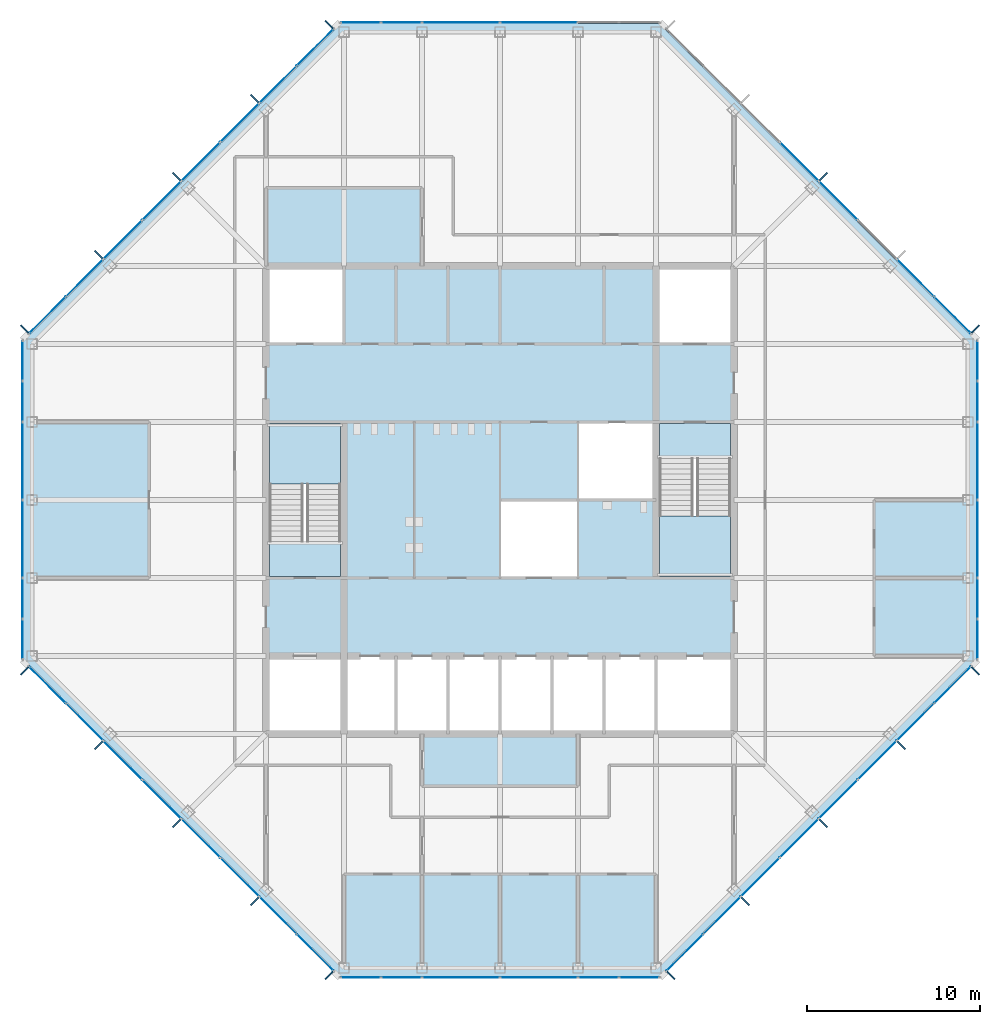
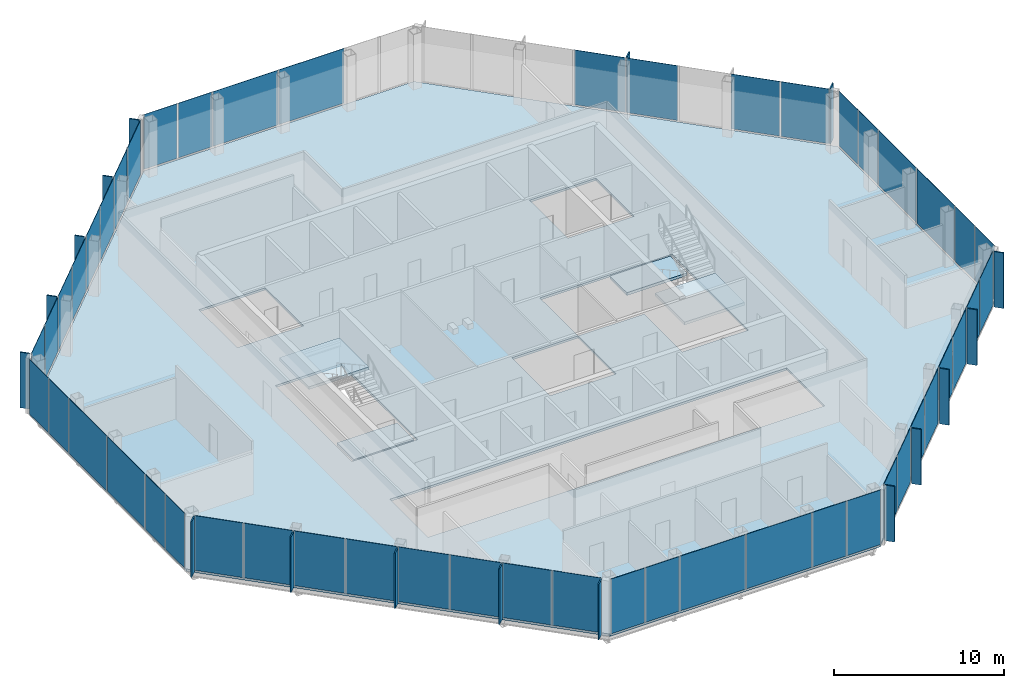
# One storey, part 8 of 13: 67 plates, 5 slabs, 10 elements without a shape of their own.
"""IFC4 building model written with IfcOpenShell, lengths in metres."""

from ifc_helpers import new_model, si_unit, direction, frame, origin, origin_2d, place, context, subcontext, project, spatial, polyline, rectangle, outline, extrude, material, layer, layer_set, type_object, element, aggregate, save


model = new_model("IFC4")

# Units and contexts
model_context = context("Model", 3, precision=1e-05, world=origin(), true_north=direction((0.0, 1.0)))
body_context = subcontext(model_context, "Body", "Model", "MODEL_VIEW")
ifc_project = project(units=[si_unit("LENGTHUNIT", "METRE"), si_unit("AREAUNIT", "SQUARE_METRE"), si_unit("VOLUMEUNIT", "CUBIC_METRE"), si_unit("PLANEANGLEUNIT", "RADIAN"), si_unit("MASSUNIT", "GRAM", prefix="KILO")], contexts=[model_context])

# Site, building, storey
site_placement = place(None, origin())
site = spatial("IfcSite", under=ifc_project, at=site_placement, CompositionType="ELEMENT")
building_placement = place(site_placement, origin())
building = spatial("IfcBuilding", under=site, at=building_placement, Name="Corais Broadcast Tower", CompositionType="ELEMENT")
storey_placement = place(building_placement, frame((0.0, 0.0, 274.60009765625)))
storey = spatial("IfcBuildingStorey", under=building, at=storey_placement, Name="L64", CompositionType="ELEMENT", Elevation=274.60009765625)

# Slab
ifc_material_1 = material(Name="Concrete C30/37", Category="concrete")
ifc_layer_1 = layer(ifc_material_1, 0.159912109375)
ifc_layer_set_1 = layer_set([ifc_layer_1], Name="Concrete C30/37")
slab_type_1 = type_object("IfcSlabType", Name="Composite floor slab 160", PredefinedType="FLOOR", material=ifc_layer_set_1)
slab_1_placement = place(storey_placement, frame((0.0, 0.0, -0.16015625)))
element("IfcSlab", 1, at=slab_1_placement, inside=storey, type_object=slab_type_1, Name="S160 floor slab L64", PredefinedType="FLOOR", context=body_context, shape_type="SweptSolid", body=[
    extrude(outline(polyline([(17.80126953125, -0.47998046875), (-0.47998046875, 17.80126953125), (-0.47998046875, 36.19873046875), (17.80126953125, 54.47998046875), (36.19873046875, 54.47998046875), (54.47998046875, 36.19873046875), (54.47998046875, 17.80126953125), (36.19873046875, -0.47998046875), (17.80126953125, -0.47998046875)]), holes=[polyline([(13.5, 18.0), (40.5, 18.0), (40.5, 13.5), (13.5, 13.5), (13.5, 18.0)]), polyline([(18.0, 22.5), (13.5, 22.5), (13.5, 31.5), (18.0, 31.5), (18.0, 22.5)]), polyline([(18.0, 36.0), (13.5, 36.0), (13.5, 40.5), (18.0, 40.5), (18.0, 36.0)]), polyline([(31.5, 22.5), (27.0, 22.5), (27.0, 27.0), (31.4951171875, 27.0), (31.4951171875, 27.0048828125), (31.5, 27.0048828125), (31.5, 31.5), (40.5, 31.5), (40.5, 22.5), (36.0, 22.5), (36.0, 27.0), (31.5048828125, 27.0), (31.5048828125, 26.9951171875), (31.5, 26.9951171875), (31.5, 22.5)]), polyline([(40.5, 36.0), (36.0, 36.0), (36.0, 40.5), (40.5, 40.5), (40.5, 36.0)])]), origin(), (0.0, 0.0, 1.0), 0.16015625),
])

# Curtain wall, plates
ifc_material_2 = material(Name="Aluminium and glass", Category="aluminium")
curtain_wall_type = type_object("IfcCurtainWallType", Name="Unitised fritted curtain wall CW3", PredefinedType="NOTDEFINED", material=ifc_material_2)
curtain_wall_1_placement = place(storey_placement, origin())
curtain_wall_1 = element("IfcCurtainWall", 2, at=curtain_wall_1_placement, inside=storey, type_object=curtain_wall_type, Name="CW3 curtain wall L64 1", PredefinedType="NOTDEFINED")
ifc_material_3 = material(Name="Ceramic-fritted laminated glass", Category="glass")
ifc_layer_2 = layer(ifc_material_3, 0.02587890625)
ifc_layer_set_2 = layer_set([ifc_layer_2], Name="Ceramic-fritted laminated glass")
plate_type_1 = type_object("IfcPlateType", Name="Fritted glass panel CW3", PredefinedType="CURTAIN_PANEL", material=ifc_layer_set_2)
plate_1_placement = place(storey_placement, frame((16.330322265625, 0.891845703125, 0.06494140625), z_axis=(0.0, 0.0, 1.0), x_axis=(-0.707106781187, 0.707106781187, 0.0)))
plate_1 = element("IfcPlate", 3, at=plate_1_placement, type_object=plate_type_1, Name="CW3 panel 1", PredefinedType="CURTAIN_PANEL", context=body_context, shape_type="SweptSolid", body=[
    extrude(rectangle(XDim=2.9482421875, YDim=0.02587890625, at=origin_2d()), origin(), (0.0, 0.0, 1.0), 3.93505859375),
])
plate_2_placement = place(storey_placement, frame((11.986083984375, 5.236083984375, 0.06494140625), z_axis=(0.0, 0.0, 1.0), x_axis=(-0.707106781187, 0.707106781187, 0.0)))
plate_2 = element("IfcPlate", 4, at=plate_2_placement, type_object=plate_type_1, Name="CW3 panel 3", PredefinedType="CURTAIN_PANEL", context=body_context, shape_type="SweptSolid", body=[
    extrude(rectangle(XDim=3.116943359375, YDim=0.02587890625, at=origin_2d()), origin(), (0.0, 0.0, 1.0), 3.93505859375),
])
plate_3_placement = place(storey_placement, frame((7.486083984375, 9.736083984375, 0.06494140625), z_axis=(0.0, 0.0, 1.0), x_axis=(-0.707106781187, 0.707106781187, 0.0)))
plate_3 = element("IfcPlate", 5, at=plate_3_placement, type_object=plate_type_1, Name="CW3 panel 5", PredefinedType="CURTAIN_PANEL", context=body_context, shape_type="SweptSolid", body=[
    extrude(rectangle(XDim=3.116943359375, YDim=0.02587890625, at=origin_2d()), origin(), (0.0, 0.0, 1.0), 3.93505859375),
])
plate_4_placement = place(storey_placement, frame((3.0341796875, 14.18798828125, 0.06494140625), z_axis=(0.0, 0.0, 1.0), x_axis=(-0.707106781187, 0.707106781187, 0.0)))
plate_4 = element("IfcPlate", 6, at=plate_4_placement, type_object=plate_type_1, Name="CW3 panel 7", PredefinedType="CURTAIN_PANEL", context=body_context, shape_type="SweptSolid", body=[
    extrude(rectangle(XDim=2.98095703125, YDim=0.02587890625, at=origin_2d()), origin(), (0.0, 0.0, 1.0), 3.93505859375),
])

curtain_wall_2_placement = place(storey_placement, origin())
curtain_wall_2 = element("IfcCurtainWall", 7, at=curtain_wall_2_placement, inside=storey, type_object=curtain_wall_type, Name="CW3 curtain wall L64 2", PredefinedType="NOTDEFINED")
plate_5_placement = place(storey_placement, frame((-0.550048828125, 18.970458984375, 0.06494140625), z_axis=(0.0, 0.0, 1.0), x_axis=(0.0, 1.0, 0.0)))
plate_5 = element("IfcPlate", 8, at=plate_5_placement, type_object=plate_type_1, Name="CW3 panel 1", PredefinedType="CURTAIN_PANEL", context=body_context, shape_type="SweptSolid", body=[
    extrude(rectangle(XDim=2.266357421875, YDim=0.02587890625, at=origin_2d()), origin(), (0.0, 0.0, 1.0), 3.93505859375),
])
plate_6_placement = place(storey_placement, frame((-0.550048828125, 24.75, 0.06494140625), z_axis=(0.0, 0.0, 1.0), x_axis=(0.0, 1.0, 0.0)))
plate_6 = element("IfcPlate", 9, at=plate_6_placement, type_object=plate_type_1, Name="CW3 panel 3", PredefinedType="CURTAIN_PANEL", context=body_context, shape_type="SweptSolid", body=[
    extrude(rectangle(XDim=4.43505859375, YDim=0.02587890625, at=origin_2d()), origin(), (0.0, 0.0, 1.0), 3.93505859375),
])
plate_7_placement = place(storey_placement, frame((-0.550048828125, 32.681884765625, 0.06494140625), z_axis=(0.0, 0.0, 1.0), x_axis=(0.0, 1.0, 0.0)))
plate_7 = element("IfcPlate", 10, at=plate_7_placement, type_object=plate_type_1, Name="CW3 panel 5", PredefinedType="CURTAIN_PANEL", context=body_context, shape_type="SweptSolid", body=[
    extrude(rectangle(XDim=2.298828125, YDim=0.02587890625, at=origin_2d()), origin(), (0.0, 0.0, 1.0), 3.93505859375),
])

curtain_wall_3_placement = place(storey_placement, origin())
curtain_wall_3 = element("IfcCurtainWall", 11, at=curtain_wall_3_placement, inside=storey, type_object=curtain_wall_type, Name="CW3 curtain wall L64 3", PredefinedType="NOTDEFINED")
plate_8_placement = place(storey_placement, frame((0.891845703125, 37.669677734375, 0.06494140625), z_axis=(0.0, 0.0, 1.0), x_axis=(0.707106781187, 0.707106781187, 0.0)))
plate_8 = element("IfcPlate", 12, at=plate_8_placement, type_object=plate_type_1, Name="CW3 panel 1", PredefinedType="CURTAIN_PANEL", context=body_context, shape_type="SweptSolid", body=[
    extrude(rectangle(XDim=2.9482421875, YDim=0.02587890625, at=origin_2d()), origin(), (0.0, 0.0, 1.0), 3.93505859375),
])
plate_9_placement = place(storey_placement, frame((5.236083984375, 42.013916015625, 0.06494140625), z_axis=(0.0, 0.0, 1.0), x_axis=(0.707106781187, 0.707106781187, 0.0)))
plate_9 = element("IfcPlate", 13, at=plate_9_placement, type_object=plate_type_1, Name="CW3 panel 3", PredefinedType="CURTAIN_PANEL", context=body_context, shape_type="SweptSolid", body=[
    extrude(rectangle(XDim=3.116943359375, YDim=0.02587890625, at=origin_2d()), origin(), (0.0, 0.0, 1.0), 3.93505859375),
])
plate_10_placement = place(storey_placement, frame((9.736083984375, 46.513916015625, 0.06494140625), z_axis=(0.0, 0.0, 1.0), x_axis=(0.707106781187, 0.707106781187, 0.0)))
plate_10 = element("IfcPlate", 14, at=plate_10_placement, type_object=plate_type_1, Name="CW3 panel 5", PredefinedType="CURTAIN_PANEL", context=body_context, shape_type="SweptSolid", body=[
    extrude(rectangle(XDim=3.116943359375, YDim=0.02587890625, at=origin_2d()), origin(), (0.0, 0.0, 1.0), 3.93505859375),
])
plate_11_placement = place(storey_placement, frame((14.18798828125, 50.9658203125, 0.06494140625), z_axis=(0.0, 0.0, 1.0), x_axis=(0.707106781187, 0.707106781187, 0.0)))
plate_11 = element("IfcPlate", 15, at=plate_11_placement, type_object=plate_type_1, Name="CW3 panel 7", PredefinedType="CURTAIN_PANEL", context=body_context, shape_type="SweptSolid", body=[
    extrude(rectangle(XDim=2.98095703125, YDim=0.02587890625, at=origin_2d()), origin(), (0.0, 0.0, 1.0), 3.93505859375),
])

curtain_wall_4_placement = place(storey_placement, origin())
curtain_wall_4 = element("IfcCurtainWall", 16, at=curtain_wall_4_placement, inside=storey, type_object=curtain_wall_type, Name="CW3 curtain wall L64 4", PredefinedType="NOTDEFINED")
plate_12_placement = place(storey_placement, frame((18.970458984375, 54.550048828125, 0.06494140625), z_axis=(0.0, 0.0, 1.0), x_axis=(1.0, 0.0, 0.0)))
plate_12 = element("IfcPlate", 17, at=plate_12_placement, type_object=plate_type_1, Name="CW3 panel 1", PredefinedType="CURTAIN_PANEL", context=body_context, shape_type="SweptSolid", body=[
    extrude(rectangle(XDim=2.266357421875, YDim=0.02587890625, at=origin_2d()), origin(), (0.0, 0.0, 1.0), 3.93505859375),
])
plate_13_placement = place(storey_placement, frame((24.75, 54.550048828125, 0.06494140625), z_axis=(0.0, 0.0, 1.0), x_axis=(1.0, 0.0, 0.0)))
plate_13 = element("IfcPlate", 18, at=plate_13_placement, type_object=plate_type_1, Name="CW3 panel 3", PredefinedType="CURTAIN_PANEL", context=body_context, shape_type="SweptSolid", body=[
    extrude(rectangle(XDim=4.43505859375, YDim=0.02587890625, at=origin_2d()), origin(), (0.0, 0.0, 1.0), 3.93505859375),
])

curtain_wall_5_placement = place(storey_placement, origin())
curtain_wall_5 = element("IfcCurtainWall", 19, at=curtain_wall_5_placement, inside=storey, type_object=curtain_wall_type, Name="CW3 curtain wall L64 5", PredefinedType="NOTDEFINED")
plate_14_placement = place(storey_placement, frame((46.513916015625, 44.263916015625, 0.06494140625), z_axis=(0.0, 0.0, 1.0), x_axis=(0.707106781187, -0.707106781187, 0.0)))
plate_14 = element("IfcPlate", 20, at=plate_14_placement, type_object=plate_type_1, Name="CW3 panel 5", PredefinedType="CURTAIN_PANEL", context=body_context, shape_type="SweptSolid", body=[
    extrude(rectangle(XDim=3.116943359375, YDim=0.02587890625, at=origin_2d()), origin(), (0.0, 0.0, 1.0), 3.93505859375),
])
plate_15_placement = place(storey_placement, frame((50.9658203125, 39.81201171875, 0.06494140625), z_axis=(0.0, 0.0, 1.0), x_axis=(0.707106781187, -0.707106781187, 0.0)))
plate_15 = element("IfcPlate", 21, at=plate_15_placement, type_object=plate_type_1, Name="CW3 panel 7", PredefinedType="CURTAIN_PANEL", context=body_context, shape_type="SweptSolid", body=[
    extrude(rectangle(XDim=2.98095703125, YDim=0.02587890625, at=origin_2d()), origin(), (0.0, 0.0, 1.0), 3.93505859375),
])

curtain_wall_6_placement = place(storey_placement, origin())
curtain_wall_6 = element("IfcCurtainWall", 22, at=curtain_wall_6_placement, inside=storey, type_object=curtain_wall_type, Name="CW3 curtain wall L64 6", PredefinedType="NOTDEFINED")
plate_16_placement = place(storey_placement, frame((54.550048828125, 35.029541015625, 0.06494140625), z_axis=(0.0, 0.0, 1.0), x_axis=(0.0, -1.0, 0.0)))
plate_16 = element("IfcPlate", 23, at=plate_16_placement, type_object=plate_type_1, Name="CW3 panel 1", PredefinedType="CURTAIN_PANEL", context=body_context, shape_type="SweptSolid", body=[
    extrude(rectangle(XDim=2.266357421875, YDim=0.02587890625, at=origin_2d()), origin(), (0.0, 0.0, 1.0), 3.93505859375),
])
plate_17_placement = place(storey_placement, frame((54.550048828125, 29.25, 0.06494140625), z_axis=(0.0, 0.0, 1.0), x_axis=(0.0, -1.0, 0.0)))
plate_17 = element("IfcPlate", 24, at=plate_17_placement, type_object=plate_type_1, Name="CW3 panel 3", PredefinedType="CURTAIN_PANEL", context=body_context, shape_type="SweptSolid", body=[
    extrude(rectangle(XDim=4.43505859375, YDim=0.02587890625, at=origin_2d()), origin(), (0.0, 0.0, 1.0), 3.93505859375),
])
plate_18_placement = place(storey_placement, frame((54.550048828125, 21.318115234375, 0.06494140625), z_axis=(0.0, 0.0, 1.0), x_axis=(0.0, -1.0, 0.0)))
plate_18 = element("IfcPlate", 25, at=plate_18_placement, type_object=plate_type_1, Name="CW3 panel 5", PredefinedType="CURTAIN_PANEL", context=body_context, shape_type="SweptSolid", body=[
    extrude(rectangle(XDim=2.298828125, YDim=0.02587890625, at=origin_2d()), origin(), (0.0, 0.0, 1.0), 3.93505859375),
])

curtain_wall_7_placement = place(storey_placement, origin())
curtain_wall_7 = element("IfcCurtainWall", 26, at=curtain_wall_7_placement, inside=storey, type_object=curtain_wall_type, Name="CW3 curtain wall L64 7", PredefinedType="NOTDEFINED")
plate_19_placement = place(storey_placement, frame((53.108154296875, 16.330322265625, 0.06494140625), z_axis=(0.0, 0.0, 1.0), x_axis=(-0.707106781187, -0.707106781187, 0.0)))
plate_19 = element("IfcPlate", 27, at=plate_19_placement, type_object=plate_type_1, Name="CW3 panel 1", PredefinedType="CURTAIN_PANEL", context=body_context, shape_type="SweptSolid", body=[
    extrude(rectangle(XDim=2.9482421875, YDim=0.02587890625, at=origin_2d()), origin(), (0.0, 0.0, 1.0), 3.93505859375),
])
plate_20_placement = place(storey_placement, frame((48.763916015625, 11.986083984375, 0.06494140625), z_axis=(0.0, 0.0, 1.0), x_axis=(-0.707106781187, -0.707106781187, 0.0)))
plate_20 = element("IfcPlate", 28, at=plate_20_placement, type_object=plate_type_1, Name="CW3 panel 3", PredefinedType="CURTAIN_PANEL", context=body_context, shape_type="SweptSolid", body=[
    extrude(rectangle(XDim=3.116943359375, YDim=0.02587890625, at=origin_2d()), origin(), (0.0, 0.0, 1.0), 3.93505859375),
])
plate_21_placement = place(storey_placement, frame((44.263916015625, 7.486083984375, 0.06494140625), z_axis=(0.0, 0.0, 1.0), x_axis=(-0.707106781187, -0.707106781187, 0.0)))
plate_21 = element("IfcPlate", 29, at=plate_21_placement, type_object=plate_type_1, Name="CW3 panel 5", PredefinedType="CURTAIN_PANEL", context=body_context, shape_type="SweptSolid", body=[
    extrude(rectangle(XDim=3.116943359375, YDim=0.02587890625, at=origin_2d()), origin(), (0.0, 0.0, 1.0), 3.93505859375),
])
plate_22_placement = place(storey_placement, frame((39.81201171875, 3.0341796875, 0.06494140625), z_axis=(0.0, 0.0, 1.0), x_axis=(-0.707106781187, -0.707106781187, 0.0)))
plate_22 = element("IfcPlate", 30, at=plate_22_placement, type_object=plate_type_1, Name="CW3 panel 7", PredefinedType="CURTAIN_PANEL", context=body_context, shape_type="SweptSolid", body=[
    extrude(rectangle(XDim=2.98095703125, YDim=0.02587890625, at=origin_2d()), origin(), (0.0, 0.0, 1.0), 3.93505859375),
])

curtain_wall_8_placement = place(storey_placement, origin())
curtain_wall_8 = element("IfcCurtainWall", 31, at=curtain_wall_8_placement, inside=storey, type_object=curtain_wall_type, Name="CW3 curtain wall L64 8", PredefinedType="NOTDEFINED")
plate_23_placement = place(storey_placement, frame((35.029541015625, -0.550048828125, 0.06494140625), z_axis=(0.0, 0.0, 1.0), x_axis=(-1.0, 0.0, 0.0)))
plate_23 = element("IfcPlate", 32, at=plate_23_placement, type_object=plate_type_1, Name="CW3 panel 1", PredefinedType="CURTAIN_PANEL", context=body_context, shape_type="SweptSolid", body=[
    extrude(rectangle(XDim=2.266357421875, YDim=0.02587890625, at=origin_2d()), origin(), (0.0, 0.0, 1.0), 3.93505859375),
])
plate_24_placement = place(storey_placement, frame((29.25, -0.550048828125, 0.06494140625), z_axis=(0.0, 0.0, 1.0), x_axis=(-1.0, 0.0, 0.0)))
plate_24 = element("IfcPlate", 33, at=plate_24_placement, type_object=plate_type_1, Name="CW3 panel 3", PredefinedType="CURTAIN_PANEL", context=body_context, shape_type="SweptSolid", body=[
    extrude(rectangle(XDim=4.43505859375, YDim=0.02587890625, at=origin_2d()), origin(), (0.0, 0.0, 1.0), 3.93505859375),
])
plate_25_placement = place(storey_placement, frame((21.318115234375, -0.550048828125, 0.06494140625), z_axis=(0.0, 0.0, 1.0), x_axis=(-1.0, 0.0, 0.0)))
plate_25 = element("IfcPlate", 34, at=plate_25_placement, type_object=plate_type_1, Name="CW3 panel 5", PredefinedType="CURTAIN_PANEL", context=body_context, shape_type="SweptSolid", body=[
    extrude(rectangle(XDim=2.298828125, YDim=0.02587890625, at=origin_2d()), origin(), (0.0, 0.0, 1.0), 3.93505859375),
])

# Plate
ifc_material_4 = material(Name="Clear laminated glass", Category="glass")
ifc_layer_3 = layer(ifc_material_4, 0.030029296875)
ifc_layer_set_3 = layer_set([ifc_layer_3], Name="Clear laminated glass")
plate_type_2 = type_object("IfcPlateType", Name="Operable glass panel CW3", PredefinedType="CURTAIN_PANEL", material=ifc_layer_set_3)
plate_26_placement = place(storey_placement, frame((14.18798828125, 3.0341796875, 0.06494140625), z_axis=(0.0, 0.0, 1.0), x_axis=(-0.707106781187, 0.707106781187, 0.0)))
plate_26 = element("IfcPlate", 35, at=plate_26_placement, type_object=plate_type_2, Name="CW3 operable panel 2", PredefinedType="CURTAIN_PANEL", context=body_context, shape_type="SweptSolid", body=[
    extrude(rectangle(XDim=2.98095703125, YDim=0.030029296875, at=origin_2d()), origin(), (0.0, 0.0, 1.0), 3.93505859375),
])

plate_27_placement = place(storey_placement, frame((9.736083984375, 7.486083984375, 0.06494140625), z_axis=(0.0, 0.0, 1.0), x_axis=(-0.707106781187, 0.707106781187, 0.0)))
plate_27 = element("IfcPlate", 36, at=plate_27_placement, type_object=plate_type_2, Name="CW3 operable panel 4", PredefinedType="CURTAIN_PANEL", context=body_context, shape_type="SweptSolid", body=[
    extrude(rectangle(XDim=3.116943359375, YDim=0.030029296875, at=origin_2d()), origin(), (0.0, 0.0, 1.0), 3.93505859375),
])

plate_28_placement = place(storey_placement, frame((5.236083984375, 11.986083984375, 0.06494140625), z_axis=(0.0, 0.0, 1.0), x_axis=(-0.707106781187, 0.707106781187, 0.0)))
plate_28 = element("IfcPlate", 37, at=plate_28_placement, type_object=plate_type_2, Name="CW3 operable panel 6", PredefinedType="CURTAIN_PANEL", context=body_context, shape_type="SweptSolid", body=[
    extrude(rectangle(XDim=3.116943359375, YDim=0.030029296875, at=origin_2d()), origin(), (0.0, 0.0, 1.0), 3.93505859375),
])

plate_29_placement = place(storey_placement, frame((0.89208984375, 16.330322265625, 0.06494140625), z_axis=(0.0, 0.0, 1.0), x_axis=(-0.707106781187, 0.707106781187, 0.0)))
plate_29 = element("IfcPlate", 38, at=plate_29_placement, type_object=plate_type_2, Name="CW3 operable panel 8", PredefinedType="CURTAIN_PANEL", context=body_context, shape_type="SweptSolid", body=[
    extrude(rectangle(XDim=2.948486328125, YDim=0.030029296875, at=origin_2d()), origin(), (0.0, 0.0, 1.0), 3.93505859375),
])

aggregate(curtain_wall_1, [plate_1, plate_26, plate_2, plate_27, plate_3, plate_28, plate_4, plate_29])

plate_30_placement = place(storey_placement, frame((-0.550048828125, 21.318115234375, 0.06494140625), z_axis=(0.0, 0.0, 1.0), x_axis=(0.0, 1.0, 0.0)))
plate_30 = element("IfcPlate", 39, at=plate_30_placement, type_object=plate_type_2, Name="CW3 operable panel 2", PredefinedType="CURTAIN_PANEL", context=body_context, shape_type="SweptSolid", body=[
    extrude(rectangle(XDim=2.298828125, YDim=0.030029296875, at=origin_2d()), origin(), (0.0, 0.0, 1.0), 3.93505859375),
])

plate_31_placement = place(storey_placement, frame((-0.550048828125, 29.25, 0.06494140625), z_axis=(0.0, 0.0, 1.0), x_axis=(0.0, 1.0, 0.0)))
plate_31 = element("IfcPlate", 40, at=plate_31_placement, type_object=plate_type_2, Name="CW3 operable panel 4", PredefinedType="CURTAIN_PANEL", context=body_context, shape_type="SweptSolid", body=[
    extrude(rectangle(XDim=4.43505859375, YDim=0.030029296875, at=origin_2d()), origin(), (0.0, 0.0, 1.0), 3.93505859375),
])

plate_32_placement = place(storey_placement, frame((-0.550048828125, 35.029541015625, 0.06494140625), z_axis=(0.0, 0.0, 1.0), x_axis=(0.0, 1.0, 0.0)))
plate_32 = element("IfcPlate", 41, at=plate_32_placement, type_object=plate_type_2, Name="CW3 operable panel 6", PredefinedType="CURTAIN_PANEL", context=body_context, shape_type="SweptSolid", body=[
    extrude(rectangle(XDim=2.266357421875, YDim=0.030029296875, at=origin_2d()), origin(), (0.0, 0.0, 1.0), 3.93505859375),
])

aggregate(curtain_wall_2, [plate_5, plate_30, plate_6, plate_31, plate_7, plate_32])

plate_33_placement = place(storey_placement, frame((3.0341796875, 39.81201171875, 0.06494140625), z_axis=(0.0, 0.0, 1.0), x_axis=(0.707106781187, 0.707106781187, 0.0)))
plate_33 = element("IfcPlate", 42, at=plate_33_placement, type_object=plate_type_2, Name="CW3 operable panel 2", PredefinedType="CURTAIN_PANEL", context=body_context, shape_type="SweptSolid", body=[
    extrude(rectangle(XDim=2.98095703125, YDim=0.030029296875, at=origin_2d()), origin(), (0.0, 0.0, 1.0), 3.93505859375),
])

plate_34_placement = place(storey_placement, frame((7.486083984375, 44.263916015625, 0.06494140625), z_axis=(0.0, 0.0, 1.0), x_axis=(0.707106781187, 0.707106781187, 0.0)))
plate_34 = element("IfcPlate", 43, at=plate_34_placement, type_object=plate_type_2, Name="CW3 operable panel 4", PredefinedType="CURTAIN_PANEL", context=body_context, shape_type="SweptSolid", body=[
    extrude(rectangle(XDim=3.116943359375, YDim=0.030029296875, at=origin_2d()), origin(), (0.0, 0.0, 1.0), 3.93505859375),
])

plate_35_placement = place(storey_placement, frame((11.986083984375, 48.763916015625, 0.06494140625), z_axis=(0.0, 0.0, 1.0), x_axis=(0.707106781187, 0.707106781187, 0.0)))
plate_35 = element("IfcPlate", 44, at=plate_35_placement, type_object=plate_type_2, Name="CW3 operable panel 6", PredefinedType="CURTAIN_PANEL", context=body_context, shape_type="SweptSolid", body=[
    extrude(rectangle(XDim=3.116943359375, YDim=0.030029296875, at=origin_2d()), origin(), (0.0, 0.0, 1.0), 3.93505859375),
])

plate_36_placement = place(storey_placement, frame((16.330322265625, 53.10791015625, 0.06494140625), z_axis=(0.0, 0.0, 1.0), x_axis=(0.707106781187, 0.707106781187, 0.0)))
plate_36 = element("IfcPlate", 45, at=plate_36_placement, type_object=plate_type_2, Name="CW3 operable panel 8", PredefinedType="CURTAIN_PANEL", context=body_context, shape_type="SweptSolid", body=[
    extrude(rectangle(XDim=2.948486328125, YDim=0.030029296875, at=origin_2d()), origin(), (0.0, 0.0, 1.0), 3.93505859375),
])

aggregate(curtain_wall_3, [plate_8, plate_33, plate_9, plate_34, plate_10, plate_35, plate_11, plate_36])

plate_37_placement = place(storey_placement, frame((21.318115234375, 54.550048828125, 0.06494140625), z_axis=(0.0, 0.0, 1.0), x_axis=(1.0, 0.0, 0.0)))
plate_37 = element("IfcPlate", 46, at=plate_37_placement, type_object=plate_type_2, Name="CW3 operable panel 2", PredefinedType="CURTAIN_PANEL", context=body_context, shape_type="SweptSolid", body=[
    extrude(rectangle(XDim=2.298828125, YDim=0.030029296875, at=origin_2d()), origin(), (0.0, 0.0, 1.0), 3.93505859375),
])

plate_38_placement = place(storey_placement, frame((29.25, 54.550048828125, 0.06494140625), z_axis=(0.0, 0.0, 1.0), x_axis=(1.0, 0.0, 0.0)))
plate_38 = element("IfcPlate", 47, at=plate_38_placement, type_object=plate_type_2, Name="CW3 operable panel 4", PredefinedType="CURTAIN_PANEL", context=body_context, shape_type="SweptSolid", body=[
    extrude(rectangle(XDim=4.43505859375, YDim=0.030029296875, at=origin_2d()), origin(), (0.0, 0.0, 1.0), 3.93505859375),
])

aggregate(curtain_wall_4, [plate_12, plate_37, plate_13, plate_38])

plate_39_placement = place(storey_placement, frame((44.263916015625, 46.513916015625, 0.06494140625), z_axis=(0.0, 0.0, 1.0), x_axis=(0.707106781187, -0.707106781187, 0.0)))
plate_39 = element("IfcPlate", 48, at=plate_39_placement, type_object=plate_type_2, Name="CW3 operable panel 4", PredefinedType="CURTAIN_PANEL", context=body_context, shape_type="SweptSolid", body=[
    extrude(rectangle(XDim=3.116943359375, YDim=0.030029296875, at=origin_2d()), origin(), (0.0, 0.0, 1.0), 3.93505859375),
])

plate_40_placement = place(storey_placement, frame((53.10791015625, 37.669677734375, 0.06494140625), z_axis=(0.0, 0.0, 1.0), x_axis=(0.707106781187, -0.707106781187, 0.0)))
plate_40 = element("IfcPlate", 49, at=plate_40_placement, type_object=plate_type_2, Name="CW3 operable panel 8", PredefinedType="CURTAIN_PANEL", context=body_context, shape_type="SweptSolid", body=[
    extrude(rectangle(XDim=2.948486328125, YDim=0.030029296875, at=origin_2d()), origin(), (0.0, 0.0, 1.0), 3.93505859375),
])

aggregate(curtain_wall_5, [plate_39, plate_14, plate_15, plate_40])

plate_41_placement = place(storey_placement, frame((54.550048828125, 32.681884765625, 0.06494140625), z_axis=(0.0, 0.0, 1.0), x_axis=(0.0, -1.0, 0.0)))
plate_41 = element("IfcPlate", 50, at=plate_41_placement, type_object=plate_type_2, Name="CW3 operable panel 2", PredefinedType="CURTAIN_PANEL", context=body_context, shape_type="SweptSolid", body=[
    extrude(rectangle(XDim=2.298828125, YDim=0.030029296875, at=origin_2d()), origin(), (0.0, 0.0, 1.0), 3.93505859375),
])

plate_42_placement = place(storey_placement, frame((54.550048828125, 24.75, 0.06494140625), z_axis=(0.0, 0.0, 1.0), x_axis=(0.0, -1.0, 0.0)))
plate_42 = element("IfcPlate", 51, at=plate_42_placement, type_object=plate_type_2, Name="CW3 operable panel 4", PredefinedType="CURTAIN_PANEL", context=body_context, shape_type="SweptSolid", body=[
    extrude(rectangle(XDim=4.43505859375, YDim=0.030029296875, at=origin_2d()), origin(), (0.0, 0.0, 1.0), 3.93505859375),
])

plate_43_placement = place(storey_placement, frame((54.550048828125, 18.970458984375, 0.06494140625), z_axis=(0.0, 0.0, 1.0), x_axis=(0.0, -1.0, 0.0)))
plate_43 = element("IfcPlate", 52, at=plate_43_placement, type_object=plate_type_2, Name="CW3 operable panel 6", PredefinedType="CURTAIN_PANEL", context=body_context, shape_type="SweptSolid", body=[
    extrude(rectangle(XDim=2.266357421875, YDim=0.030029296875, at=origin_2d()), origin(), (0.0, 0.0, 1.0), 3.93505859375),
])

aggregate(curtain_wall_6, [plate_16, plate_41, plate_17, plate_42, plate_18, plate_43])

plate_44_placement = place(storey_placement, frame((50.9658203125, 14.18798828125, 0.06494140625), z_axis=(0.0, 0.0, 1.0), x_axis=(-0.707106781187, -0.707106781187, 0.0)))
plate_44 = element("IfcPlate", 53, at=plate_44_placement, type_object=plate_type_2, Name="CW3 operable panel 2", PredefinedType="CURTAIN_PANEL", context=body_context, shape_type="SweptSolid", body=[
    extrude(rectangle(XDim=2.98095703125, YDim=0.030029296875, at=origin_2d()), origin(), (0.0, 0.0, 1.0), 3.93505859375),
])

plate_45_placement = place(storey_placement, frame((46.513916015625, 9.736083984375, 0.06494140625), z_axis=(0.0, 0.0, 1.0), x_axis=(-0.707106781187, -0.707106781187, 0.0)))
plate_45 = element("IfcPlate", 54, at=plate_45_placement, type_object=plate_type_2, Name="CW3 operable panel 4", PredefinedType="CURTAIN_PANEL", context=body_context, shape_type="SweptSolid", body=[
    extrude(rectangle(XDim=3.116943359375, YDim=0.030029296875, at=origin_2d()), origin(), (0.0, 0.0, 1.0), 3.93505859375),
])

plate_46_placement = place(storey_placement, frame((42.013916015625, 5.236083984375, 0.06494140625), z_axis=(0.0, 0.0, 1.0), x_axis=(-0.707106781187, -0.707106781187, 0.0)))
plate_46 = element("IfcPlate", 55, at=plate_46_placement, type_object=plate_type_2, Name="CW3 operable panel 6", PredefinedType="CURTAIN_PANEL", context=body_context, shape_type="SweptSolid", body=[
    extrude(rectangle(XDim=3.116943359375, YDim=0.030029296875, at=origin_2d()), origin(), (0.0, 0.0, 1.0), 3.93505859375),
])

plate_47_placement = place(storey_placement, frame((37.669677734375, 0.89208984375, 0.06494140625), z_axis=(0.0, 0.0, 1.0), x_axis=(-0.707106781187, -0.707106781187, 0.0)))
plate_47 = element("IfcPlate", 56, at=plate_47_placement, type_object=plate_type_2, Name="CW3 operable panel 8", PredefinedType="CURTAIN_PANEL", context=body_context, shape_type="SweptSolid", body=[
    extrude(rectangle(XDim=2.948486328125, YDim=0.030029296875, at=origin_2d()), origin(), (0.0, 0.0, 1.0), 3.93505859375),
])

aggregate(curtain_wall_7, [plate_19, plate_44, plate_20, plate_45, plate_21, plate_46, plate_22, plate_47])

plate_48_placement = place(storey_placement, frame((32.681884765625, -0.550048828125, 0.06494140625), z_axis=(0.0, 0.0, 1.0), x_axis=(-1.0, 0.0, 0.0)))
plate_48 = element("IfcPlate", 57, at=plate_48_placement, type_object=plate_type_2, Name="CW3 operable panel 2", PredefinedType="CURTAIN_PANEL", context=body_context, shape_type="SweptSolid", body=[
    extrude(rectangle(XDim=2.298828125, YDim=0.030029296875, at=origin_2d()), origin(), (0.0, 0.0, 1.0), 3.93505859375),
])

plate_49_placement = place(storey_placement, frame((24.75, -0.550048828125, 0.06494140625), z_axis=(0.0, 0.0, 1.0), x_axis=(-1.0, 0.0, 0.0)))
plate_49 = element("IfcPlate", 58, at=plate_49_placement, type_object=plate_type_2, Name="CW3 operable panel 4", PredefinedType="CURTAIN_PANEL", context=body_context, shape_type="SweptSolid", body=[
    extrude(rectangle(XDim=4.43505859375, YDim=0.030029296875, at=origin_2d()), origin(), (0.0, 0.0, 1.0), 3.93505859375),
])

plate_50_placement = place(storey_placement, frame((18.970458984375, -0.550048828125, 0.06494140625), z_axis=(0.0, 0.0, 1.0), x_axis=(-1.0, 0.0, 0.0)))
plate_50 = element("IfcPlate", 59, at=plate_50_placement, type_object=plate_type_2, Name="CW3 operable panel 6", PredefinedType="CURTAIN_PANEL", context=body_context, shape_type="SweptSolid", body=[
    extrude(rectangle(XDim=2.266357421875, YDim=0.030029296875, at=origin_2d()), origin(), (0.0, 0.0, 1.0), 3.93505859375),
])

aggregate(curtain_wall_8, [plate_23, plate_48, plate_24, plate_49, plate_25, plate_50])

# Stair, slabs
ifc_material_5 = material(Name="Concrete C30/37", Category="concrete")
stair_type = type_object("IfcStairType", Name="Half-turn stair 4000", PredefinedType="HALF_TURN_STAIR", material=ifc_material_5)
stair_1_placement = place(storey_placement, origin())
stair_1 = element("IfcStair", 60, at=stair_1_placement, inside=storey, type_object=stair_type, Name="Stair A L64", PredefinedType="HALF_TURN_STAIR")
ifc_material_6 = material(Name="Concrete C30/37", Category="concrete")
ifc_layer_4 = layer(ifc_material_6, 0.199951171875)
ifc_layer_set_4 = layer_set([ifc_layer_4], Name="Concrete C30/37")
slab_type_2 = type_object("IfcSlabType", Name="Stair landing 200", PredefinedType="LANDING", material=ifc_layer_set_4)
slab_2_placement = place(storey_placement, frame((0.0, 0.0, -0.2001953125)))
slab_2 = element("IfcSlab", 61, at=slab_2_placement, type_object=slab_type_2, Name="STA landing 1", PredefinedType="LANDING", context=body_context, shape_type="SweptSolid", body=[
    extrude(outline(polyline([(13.699951171875, 22.60009765625), (17.800048828125, 22.60009765625), (17.800048828125, 24.60009765625), (13.699951171875, 24.60009765625), (13.699951171875, 22.60009765625)])), origin(), (0.0, 0.0, 1.0), 0.2001953125),
])
slab_3_placement = place(storey_placement, frame((0.0, 0.0, 1.7998046875)))
slab_3 = element("IfcSlab", 62, at=slab_3_placement, type_object=slab_type_2, Name="STA landing 2", PredefinedType="LANDING", context=body_context, shape_type="SweptSolid", body=[
    extrude(outline(polyline([(13.699951171875, 27.922119140625), (17.800048828125, 27.922119140625), (17.800048828125, 31.39990234375), (13.699951171875, 31.39990234375), (13.699951171875, 27.922119140625)])), origin(), (0.0, 0.0, 1.0), 0.2001953125),
])
aggregate(stair_1, [slab_2, slab_3])

stair_2_placement = place(storey_placement, origin())
stair_2 = element("IfcStair", 63, at=stair_2_placement, inside=storey, type_object=stair_type, Name="Stair B L64", PredefinedType="HALF_TURN_STAIR")
slab_4_placement = place(storey_placement, frame((0.0, 0.0, -0.2001953125)))
slab_4 = element("IfcSlab", 64, at=slab_4_placement, type_object=slab_type_2, Name="STB landing 1", PredefinedType="LANDING", context=body_context, shape_type="SweptSolid", body=[
    extrude(outline(polyline([(36.199951171875, 29.39990234375), (40.300048828125, 29.39990234375), (40.300048828125, 31.39990234375), (36.199951171875, 31.39990234375), (36.199951171875, 29.39990234375)])), origin(), (0.0, 0.0, 1.0), 0.2001953125),
])
slab_5_placement = place(storey_placement, frame((0.0, 0.0, 1.7998046875)))
slab_5 = element("IfcSlab", 65, at=slab_5_placement, type_object=slab_type_2, Name="STB landing 2", PredefinedType="LANDING", context=body_context, shape_type="SweptSolid", body=[
    extrude(outline(polyline([(36.199951171875, 22.60009765625), (40.300048828125, 22.60009765625), (40.300048828125, 26.077880859375), (36.199951171875, 26.077880859375), (36.199951171875, 22.60009765625)])), origin(), (0.0, 0.0, 1.0), 0.2001953125),
])
aggregate(stair_2, [slab_4, slab_5])

# Plates
ifc_material_7 = material(Name="Granite stone cladding", Category="masonry")
ifc_layer_5 = layer(ifc_material_7, 0.080078125)
ifc_layer_set_5 = layer_set([ifc_layer_5], Name="Granite stone cladding")
plate_type_3 = type_object("IfcPlateType", Name="Stone screen fin 80x600", PredefinedType="USERDEFINED", material=ifc_layer_set_5)
for number, where, z_axis, x_axis, name in (
    (66, (17.129150390625, -0.43994140625, 0.0), (0.0, 0.0, 1.0), (-0.707106781187, 0.707106781187, 0.0), "SF1 stone screen fin L64"),
    (67, (12.844482421875, 3.844482421875, 0.0), (0.0, 0.0, 1.0), (-0.707106781187, 0.707106781187, 0.0), "SF1 stone screen fin L64"),
    (68, (8.344482421875, 8.344482421875, 0.0), (0.0, 0.0, 1.0), (-0.707106781187, 0.707106781187, 0.0), "SF1 stone screen fin L64"),
    (69, (3.844482421875, 12.844482421875, 0.0), (0.0, 0.0, 1.0), (-0.707106781187, 0.707106781187, 0.0), "SF1 stone screen fin L64"),
    (70, (-0.43994140625, 17.129150390625, 0.0), (0.0, 0.0, 1.0), (-0.707106781187, 0.707106781187, 0.0), "SF1 stone screen fin L64"),
    (71, (-0.43994140625, 36.870849609375, 0.0), (0.0, 0.0, 1.0), (0.707106781187, 0.707106781187, 0.0), "SF1 stone screen fin L64"),
    (72, (3.844482421875, 41.155517578125, 0.0), (0.0, 0.0, 1.0), (0.707106781187, 0.707106781187, 0.0), "SF1 stone screen fin L64"),
    (73, (8.344482421875, 45.655517578125, 0.0), (0.0, 0.0, 1.0), (0.707106781187, 0.707106781187, 0.0), "SF1 stone screen fin L64"),
    (74, (12.844482421875, 50.155517578125, 0.0), (0.0, 0.0, 1.0), (0.707106781187, 0.707106781187, 0.0), "SF1 stone screen fin L64"),
    (75, (17.129150390625, 54.43994140625, 0.0), (0.0, 0.0, 1.0), (0.707106781187, 0.707106781187, 0.0), "SF1 stone screen fin L64"),
    (76, (45.655517578125, 45.655517578125, 0.0), (0.0, 0.0, 1.0), (0.707106781187, -0.707106781187, 0.0), "SF1 stone screen fin L64"),
    (77, (54.43994140625, 36.870849609375, 0.0), (0.0, 0.0, 1.0), (0.707106781187, -0.707106781187, 0.0), "SF1 stone screen fin L64"),
    (78, (54.43994140625, 17.129150390625, 0.0), (0.0, 0.0, 1.0), (-0.707106781187, -0.707106781187, 0.0), "SF1 stone screen fin L64"),
    (79, (50.155517578125, 12.844482421875, 0.0), (0.0, 0.0, 1.0), (-0.707106781187, -0.707106781187, 0.0), "SF1 stone screen fin L64"),
    (80, (45.655517578125, 8.344482421875, 0.0), (0.0, 0.0, 1.0), (-0.707106781187, -0.707106781187, 0.0), "SF1 stone screen fin L64"),
    (81, (41.155517578125, 3.844482421875, 0.0), (0.0, 0.0, 1.0), (-0.707106781187, -0.707106781187, 0.0), "SF1 stone screen fin L64"),
    (82, (36.870849609375, -0.43994140625, 0.0), (0.0, 0.0, 1.0), (-0.707106781187, -0.707106781187, 0.0), "SF1 stone screen fin L64"),
):
    element("IfcPlate", number, at=place(storey_placement, frame(where, z_axis=z_axis, x_axis=x_axis)), inside=storey, type_object=plate_type_3, Name=name, ObjectType="STONE SCREEN FIN", PredefinedType="USERDEFINED", context=body_context, shape_type="SweptSolid", body=[
        extrude(rectangle(XDim=0.080078125, YDim=0.60009765625, at=origin_2d()), origin(), (0.0, 0.0, 1.0), 4.0),
    ])

save(model, "model.ifc")
